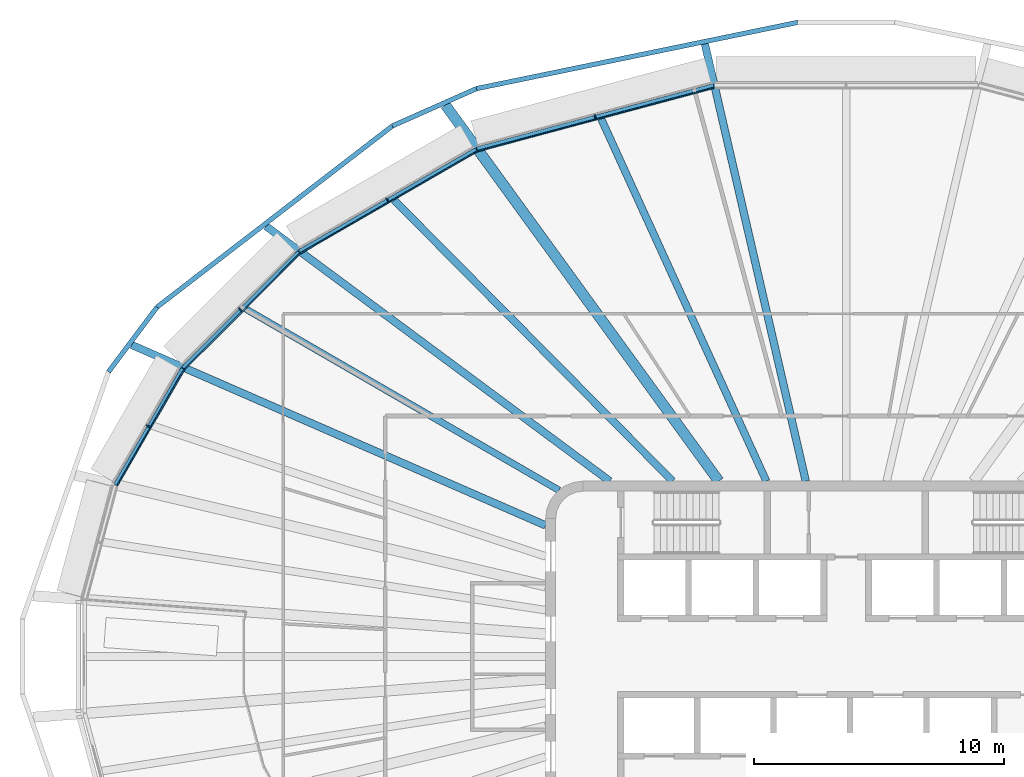
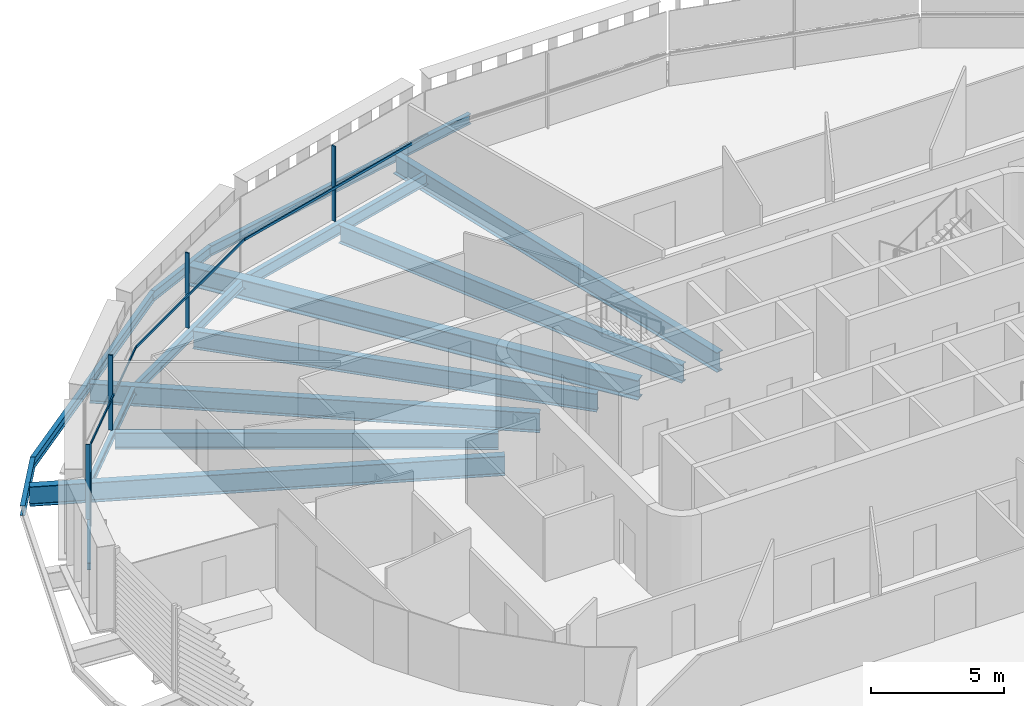
# One storey, part 5 of 20: 15 beams, 8 members, 4 elements without a shape of their own.
"""IFC4 building model written with IfcOpenShell, lengths in metres."""

from ifc_helpers import new_model, si_unit, direction, frame, origin, origin_2d, place, context, subcontext, project, spatial, rectangle, i_section, extrude, material, layer, layer_set, material_profile, profile_set, type_object, element, aggregate, save


model = new_model("IFC4")

# Units and contexts
model_context = context("Model", 3, precision=1e-05, world=origin(), true_north=direction((0.0, 1.0)))
body_context = subcontext(model_context, "Body", "Model", "MODEL_VIEW")
ifc_project = project(units=[si_unit("LENGTHUNIT", "METRE"), si_unit("AREAUNIT", "SQUARE_METRE"), si_unit("VOLUMEUNIT", "CUBIC_METRE"), si_unit("PLANEANGLEUNIT", "RADIAN"), si_unit("MASSUNIT", "GRAM", prefix="KILO")], contexts=[model_context])

# Site, building, storey
site_placement = place(None, origin())
site = spatial("IfcSite", under=ifc_project, at=site_placement, CompositionType="ELEMENT")
building_placement = place(site_placement, origin())
building = spatial("IfcBuilding", under=site, at=building_placement, Name="Sahrelin Media Tower", CompositionType="ELEMENT")
storey_placement = place(building_placement, frame((0.0, 0.0, 221.60009765625)))
storey = spatial("IfcBuildingStorey", under=building, at=storey_placement, Name="L47", CompositionType="ELEMENT", Elevation=221.60009765625)

# Beams
ifc_material_1 = material(Name="Steel S355", Category="steel")
ifc_material_profile_1 = material_profile(ifc_material_1, i_section(OverallWidth=0.1650390625, OverallDepth=0.303466796875, WebThickness=0.006103515625, FlangeThickness=0.01025390625, FilletRadius=0.0087890625, at=origin_2d()), Name="UB 305x165x40")
ifc_profile_set_1 = profile_set([ifc_material_profile_1], Name="Steel S355")
beam_type_1 = type_object("IfcBeamType", Name="Edge beam EB2", PredefinedType="BEAM", material=ifc_profile_set_1)
beam_1_placement = place(storey_placement, frame((-29.165771484375, 6.847900390625, -0.3017578125), z_axis=(0.500036390221, 0.866004392861, 0.0), x_axis=(-0.866004392861, 0.500036390221, 0.0)))
element("IfcBeam", 1, at=beam_1_placement, inside=storey, type_object=beam_type_1, Name="Edge beam L47-15", PredefinedType="BEAM", context=body_context, shape_type="SweptSolid", body=[
    extrude(i_section(OverallWidth=0.1650390625, OverallDepth=0.303466796875, WebThickness=0.006103515625, FlangeThickness=0.01025390625, FilletRadius=0.0087890625, at=origin_2d()), origin(), (0.0, 0.0, 1.0), 5.36279296875),
])
ifc_material_profile_2 = material_profile(ifc_material_1, i_section(OverallWidth=0.17138671875, OverallDepth=0.35498046875, WebThickness=0.00732421875, FlangeThickness=0.011474609375, FilletRadius=0.01025390625, at=origin_2d()), Name="UB 356x171x51")
ifc_profile_set_2 = profile_set([ifc_material_profile_2], Name="Steel S355")
beam_type_2 = type_object("IfcBeamType", Name="Edge beam EB3", PredefinedType="BEAM", material=ifc_profile_set_2)
beam_2_placement = place(storey_placement, frame((-26.466552734375, 11.51513671875, -0.32763671875), z_axis=(0.707088087763, 0.707125474116, 0.0), x_axis=(-0.707125474116, 0.707088087763, 0.0)))
element("IfcBeam", 2, at=beam_2_placement, inside=storey, type_object=beam_type_2, Name="Edge beam L47-16", PredefinedType="BEAM", context=body_context, shape_type="SweptSolid", body=[
    extrude(i_section(OverallWidth=0.17138671875, OverallDepth=0.35498046875, WebThickness=0.00732421875, FlangeThickness=0.011474609375, FilletRadius=0.01025390625, at=origin_2d()), origin(), (0.0, 0.0, 1.0), 6.5302734375),
])
ifc_material_profile_3 = material_profile(ifc_material_1, i_section(OverallWidth=0.1904296875, OverallDepth=0.45703125, WebThickness=0.009033203125, FlangeThickness=0.014404296875, FilletRadius=0.01025390625, at=origin_2d()), Name="UB 457x191x74")
ifc_profile_set_3 = profile_set([ifc_material_profile_3], Name="Steel S355")
beam_type_3 = type_object("IfcBeamType", Name="Edge beam EB5", PredefinedType="BEAM", material=ifc_profile_set_3)
beam_3_placement = place(storey_placement, frame((-21.826171875, 16.150146484375, -0.378662109375), z_axis=(0.866014591954, 0.500018726171, 0.0), x_axis=(-0.500018726171, 0.866014591954, 0.0)))
element("IfcBeam", 3, at=beam_3_placement, inside=storey, type_object=beam_type_3, Name="Edge beam L47-17", PredefinedType="BEAM", context=body_context, shape_type="SweptSolid", body=[
    extrude(i_section(OverallWidth=0.1904296875, OverallDepth=0.45703125, WebThickness=0.009033203125, FlangeThickness=0.014404296875, FilletRadius=0.01025390625, at=origin_2d()), origin(), (0.0, 0.0, 1.0), 8.155517578125),
])
ifc_material_profile_4 = material_profile(ifc_material_1, i_section(OverallWidth=0.208740234375, OverallDepth=0.5283203125, WebThickness=0.009521484375, FlangeThickness=0.01318359375, FilletRadius=0.0126953125, at=origin_2d()), Name="UB 533x210x82")
ifc_profile_set_4 = profile_set([ifc_material_profile_4], Name="Steel S355")
beam_type_4 = type_object("IfcBeamType", Name="Edge beam EB6", PredefinedType="BEAM", material=ifc_profile_set_4)
beam_4_placement = place(storey_placement, frame((-14.73681640625, 20.239013671875, -0.414306640625), z_axis=(0.965928675472, 0.258808411575, 0.0), x_axis=(-0.258808411575, 0.965928675472, 0.0)))
element("IfcBeam", 4, at=beam_4_placement, inside=storey, type_object=beam_type_4, Name="Edge beam L47-18", PredefinedType="BEAM", context=body_context, shape_type="SweptSolid", body=[
    extrude(i_section(OverallWidth=0.208740234375, OverallDepth=0.5283203125, WebThickness=0.009521484375, FlangeThickness=0.01318359375, FilletRadius=0.0126953125, at=origin_2d()), origin(), (0.0, 0.0, 1.0), 9.7861328125),
])

# Curtain wall, member
ifc_material_2 = material(Name="Champagne anodised aluminium 6063-T6", Category="aluminium")
ifc_layer = layer(ifc_material_2, 0.14990234375)
ifc_layer_set = layer_set([ifc_layer], Name="Tower ribbon curtain wall")
curtain_wall_type = type_object("IfcCurtainWallType", Name="Tower ribbon curtain wall", PredefinedType="NOTDEFINED", material=ifc_layer_set)
curtain_wall_1_placement = place(storey_placement, frame((-10.04931640625, 21.650390625, 0.0), z_axis=(0.0, 0.0, 1.0), x_axis=(1.0, 0.0, 0.0)))
curtain_wall_1 = element("IfcCurtainWall", 5, at=curtain_wall_1_placement, inside=storey, type_object=curtain_wall_type, Name="L47:CW:L47-07", PredefinedType="NOTDEFINED")
ifc_material_profile_5 = material_profile(ifc_material_2, rectangle(XDim=0.06005859375, YDim=0.175048828125, at=origin_2d()), Name="Mullion 60x175")
ifc_profile_set_5 = profile_set([ifc_material_profile_5], Name="Champagne anodised aluminium 6063-T6")
member_type_1 = type_object("IfcMemberType", Name="Mullion 60x175 CW1B", PredefinedType="MULLION", material=ifc_profile_set_5)
member_1_placement = place(storey_placement, frame((-10.021484375, 21.54638671875, 0.0), z_axis=(0.0, 0.0, 1.0), x_axis=(-0.965924471102, -0.258824102675, 0.0)))
member_1 = element("IfcMember", 6, at=member_1_placement, type_object=member_type_1, Name="L47:CWM:L47-07", PredefinedType="MULLION", context=body_context, shape_type="SweptSolid", body=[
    extrude(rectangle(XDim=0.06005859375, YDim=0.175048828125, at=origin_2d()), origin(), (0.0, 0.0, 1.0), 3.448486328125),
])

curtain_wall_2_placement = place(storey_placement, frame((-18.369873046875, 18.319091796875, 0.0), z_axis=(0.0, 0.0, 1.0), x_axis=(1.0, 0.0, 0.0)))
curtain_wall_2 = element("IfcCurtainWall", 7, at=curtain_wall_2_placement, inside=storey, type_object=curtain_wall_type, Name="L47:CW:L47-08", PredefinedType="NOTDEFINED")
member_2_placement = place(storey_placement, frame((-18.31591796875, 18.225830078125, 0.0), z_axis=(0.0, 0.0, 1.0), x_axis=(-0.866022785779, -0.500004534492, 0.0)))
member_2 = element("IfcMember", 8, at=member_2_placement, type_object=member_type_1, Name="L47:CWM:L47-08", PredefinedType="MULLION", context=body_context, shape_type="SweptSolid", body=[
    extrude(rectangle(XDim=0.06005859375, YDim=0.175048828125, at=origin_2d()), origin(), (0.0, 0.0, 1.0), 3.448486328125),
])

curtain_wall_3_placement = place(storey_placement, frame((-24.263916015625, 13.929931640625, 0.0), z_axis=(0.0, 0.0, 1.0), x_axis=(1.0, 0.0, 0.0)))
curtain_wall_3 = element("IfcCurtainWall", 9, at=curtain_wall_3_placement, inside=storey, type_object=curtain_wall_type, Name="L47:CW:L47-09", PredefinedType="NOTDEFINED")
member_3_placement = place(storey_placement, frame((-24.187744140625, 13.85400390625, 0.0), z_axis=(0.0, 0.0, 1.0), x_axis=(-0.707114185953, -0.707099376343, 0.0)))
member_3 = element("IfcMember", 10, at=member_3_placement, type_object=member_type_1, Name="L47:CWM:L47-09", PredefinedType="MULLION", context=body_context, shape_type="SweptSolid", body=[
    extrude(rectangle(XDim=0.06005859375, YDim=0.175048828125, at=origin_2d()), origin(), (0.0, 0.0, 1.0), 3.448486328125),
])

curtain_wall_4_placement = place(storey_placement, frame((-27.954833984375, 9.2451171875, 0.0), z_axis=(0.0, 0.0, 1.0), x_axis=(1.0, 0.0, 0.0)))
curtain_wall_4 = element("IfcCurtainWall", 11, at=curtain_wall_4_placement, inside=storey, type_object=curtain_wall_type, Name="L47:CW:L47-10", PredefinedType="NOTDEFINED")
member_4_placement = place(storey_placement, frame((-27.86181640625, 9.19140625, 0.0), z_axis=(0.0, 0.0, 1.0), x_axis=(-0.5, -0.866025403784, 0.0)))
member_4 = element("IfcMember", 12, at=member_4_placement, type_object=member_type_1, Name="L47:CWM:L47-10", PredefinedType="MULLION", context=body_context, shape_type="SweptSolid", body=[
    extrude(rectangle(XDim=0.06005859375, YDim=0.175048828125, at=origin_2d()), origin(), (0.0, 0.0, 1.0), 3.448486328125),
])

# Beams
ifc_material_profile_6 = material_profile(ifc_material_1, i_section(OverallWidth=0.30322265625, OverallDepth=0.903076171875, WebThickness=0.01513671875, FlangeThickness=0.020263671875, FilletRadius=0.01904296875, at=origin_2d()), Name="UB 914x305x201")
ifc_profile_set_6 = profile_set([ifc_material_profile_6], Name="Steel S355")
beam_type_5 = type_object("IfcBeamType", Name="Radial primary beam PB11", PredefinedType="BEAM", material=ifc_profile_set_6)
beam_5_placement = place(storey_placement, frame((-1.615234375, 7.0, -0.6015625), z_axis=(-0.224829640929, 0.974398087313, 0.0), x_axis=(-0.974398087313, -0.224829640929, 0.0)))
element("IfcBeam", 13, at=beam_5_placement, inside=storey, type_object=beam_type_5, Name="Radial beam L47-07", PredefinedType="BEAM", context=body_context, shape_type="SweptSolid", body=[
    extrude(i_section(OverallWidth=0.30322265625, OverallDepth=0.903076171875, WebThickness=0.01513671875, FlangeThickness=0.020263671875, FilletRadius=0.01904296875, at=origin_2d()), origin(), (0.0, 0.0, 1.0), 17.91064453125),
])
beam_6_placement = place(storey_placement, frame((-9.439697265625, 7.0, -0.6015625), z_axis=(-0.803237858259, 0.59565841139, 0.0), x_axis=(-0.59565841139, -0.803237858259, 0.0)))
element("IfcBeam", 14, at=beam_6_placement, inside=storey, type_object=beam_type_5, Name="Radial beam L47-09", PredefinedType="BEAM", context=body_context, shape_type="SweptSolid", body=[
    extrude(i_section(OverallWidth=0.30322265625, OverallDepth=0.903076171875, WebThickness=0.01513671875, FlangeThickness=0.020263671875, FilletRadius=0.01904296875, at=origin_2d()), origin(), (0.0, 0.0, 1.0), 17.08447265625),
])
beam_7_placement = place(storey_placement, frame((-12.0, 5.232421875, -0.6015625), z_axis=(-0.916652335259, 0.399685496691, 0.0), x_axis=(-0.399685496691, -0.916652335259, 0.0)))
element("IfcBeam", 15, at=beam_7_placement, inside=storey, type_object=beam_type_5, Name="Radial beam L47-10", PredefinedType="BEAM", context=body_context, shape_type="SweptSolid", body=[
    extrude(i_section(OverallWidth=0.30322265625, OverallDepth=0.903076171875, WebThickness=0.01513671875, FlangeThickness=0.020263671875, FilletRadius=0.01904296875, at=origin_2d()), origin(), (0.0, 0.0, 1.0), 18.029296875),
])
ifc_material_profile_7 = material_profile(ifc_material_1, i_section(OverallWidth=0.41845703125, OverallDepth=0.911865234375, WebThickness=0.019287109375, FlangeThickness=0.031982421875, FilletRadius=0.024169921875, at=origin_2d()), Name="UB 914x419x343")
ifc_profile_set_7 = profile_set([ifc_material_profile_7], Name="Steel S355")
beam_type_6 = type_object("IfcBeamType", Name="Radial primary beam PB12", PredefinedType="BEAM", material=ifc_profile_set_7)
beam_8_placement = place(storey_placement, frame((-5.087646484375, 7.0, -0.60595703125), z_axis=(-0.587924542129, 0.808915776063, 0.0), x_axis=(-0.808915776063, -0.587924542129, 0.0)))
element("IfcBeam", 16, at=beam_8_placement, inside=storey, type_object=beam_type_6, Name="Radial beam L47-08", PredefinedType="BEAM", context=body_context, shape_type="SweptSolid", body=[
    extrude(i_section(OverallWidth=0.41845703125, OverallDepth=0.911865234375, WebThickness=0.019287109375, FlangeThickness=0.031982421875, FilletRadius=0.024169921875, at=origin_2d()), origin(), (0.0, 0.0, 1.0), 18.56201171875),
])
ifc_material_profile_8 = material_profile(ifc_material_1, i_section(OverallWidth=0.291748046875, OverallDepth=0.8349609375, WebThickness=0.013916015625, FlangeThickness=0.018798828125, FilletRadius=0.017822265625, at=origin_2d()), Name="UB 838x292x176")
ifc_profile_set_8 = profile_set([ifc_material_profile_8], Name="Steel S355")
beam_type_7 = type_object("IfcBeamType", Name="Radial secondary beam SB10", PredefinedType="BEAM", material=ifc_profile_set_8)
beam_9_placement = place(storey_placement, frame((-3.190185546875, 7.0, -0.567626953125), z_axis=(-0.41471955526, 0.909949279073, 0.0), x_axis=(-0.909949279073, -0.41471955526, 0.0)))
element("IfcBeam", 17, at=beam_9_placement, inside=storey, type_object=beam_type_7, Name="Secondary beam L47-07", PredefinedType="BEAM", context=body_context, shape_type="SweptSolid", body=[
    extrude(i_section(OverallWidth=0.291748046875, OverallDepth=0.8349609375, WebThickness=0.013916015625, FlangeThickness=0.018798828125, FilletRadius=0.017822265625, at=origin_2d()), origin(), (0.0, 0.0, 1.0), 15.889892578125),
])
beam_10_placement = place(storey_placement, frame((-6.93310546875, 7.0, -0.567626953125), z_axis=(-0.703713507943, 0.71048384833, 0.0), x_axis=(-0.71048384833, -0.703713507943, 0.0)))
element("IfcBeam", 18, at=beam_10_placement, inside=storey, type_object=beam_type_7, Name="Secondary beam L47-08", PredefinedType="BEAM", context=body_context, shape_type="SweptSolid", body=[
    extrude(i_section(OverallWidth=0.291748046875, OverallDepth=0.8349609375, WebThickness=0.013916015625, FlangeThickness=0.018798828125, FilletRadius=0.017822265625, at=origin_2d()), origin(), (0.0, 0.0, 1.0), 15.79443359375),
])
ifc_material_profile_9 = material_profile(ifc_material_1, i_section(OverallWidth=0.26513671875, OverallDepth=0.75390625, WebThickness=0.0126953125, FlangeThickness=0.017578125, FilletRadius=0.0166015625, at=origin_2d()), Name="UB 762x267x147")
ifc_profile_set_9 = profile_set([ifc_material_profile_9], Name="Steel S355")
beam_type_8 = type_object("IfcBeamType", Name="Radial secondary beam SB9", PredefinedType="BEAM", material=ifc_profile_set_9)
beam_11_placement = place(storey_placement, frame((-11.46435546875, 6.634521484375, -0.527099609375), z_axis=(-0.86550833259, 0.50089452604, 0.0), x_axis=(-0.50089452604, -0.86550833259, 0.0)))
element("IfcBeam", 19, at=beam_11_placement, inside=storey, type_object=beam_type_8, Name="Secondary beam L47-09", PredefinedType="BEAM", context=body_context, shape_type="SweptSolid", body=[
    extrude(i_section(OverallWidth=0.26513671875, OverallDepth=0.75390625, WebThickness=0.0126953125, FlangeThickness=0.017578125, FilletRadius=0.0166015625, at=origin_2d()), origin(), (0.0, 0.0, 1.0), 14.46240234375),
])
ifc_material_profile_10 = material_profile(ifc_material_1, i_section(OverallWidth=0.1904296875, OverallDepth=0.45703125, WebThickness=0.009033203125, FlangeThickness=0.014404296875, FilletRadius=0.01025390625, at=origin_2d()), Name="UB 457x191x74")
ifc_profile_set_10 = profile_set([ifc_material_profile_10], Name="Steel S355")
beam_type_9 = type_object("IfcBeamType", Name="Tie chord TC5", PredefinedType="BEAM", material=ifc_profile_set_10)
beam_12_placement = place(storey_placement, frame((-1.935791015625, 25.313720703125, -0.378662109375), z_axis=(-0.97939063421, -0.201975210415, 0.0), x_axis=(0.201975210415, -0.97939063421, 0.0)))
element("IfcBeam", 20, at=beam_12_placement, inside=storey, type_object=beam_type_9, Name="Tie chord L47-07", PredefinedType="BEAM", context=body_context, shape_type="SweptSolid", body=[
    extrude(i_section(OverallWidth=0.1904296875, OverallDepth=0.45703125, WebThickness=0.009033203125, FlangeThickness=0.014404296875, FilletRadius=0.01025390625, at=origin_2d()), origin(), (0.0, 0.0, 1.0), 13.101806640625),
])
beam_13_placement = place(storey_placement, frame((-14.767578125, 22.66748046875, -0.378662109375), z_axis=(-0.913836241537, -0.406082902439, 0.0), x_axis=(0.406082902439, -0.913836241537, 0.0)))
element("IfcBeam", 21, at=beam_13_placement, inside=storey, type_object=beam_type_9, Name="Tie chord L47-08", PredefinedType="BEAM", context=body_context, shape_type="SweptSolid", body=[
    extrude(i_section(OverallWidth=0.1904296875, OverallDepth=0.45703125, WebThickness=0.009033203125, FlangeThickness=0.014404296875, FilletRadius=0.01025390625, at=origin_2d()), origin(), (0.0, 0.0, 1.0), 3.669189453125),
])
beam_14_placement = place(storey_placement, frame((-18.12060546875, 21.177490234375, -0.378662109375), z_axis=(-0.792436365958, -0.609954593316, 0.0), x_axis=(0.609954593316, -0.792436365958, 0.0)))
element("IfcBeam", 22, at=beam_14_placement, inside=storey, type_object=beam_type_9, Name="Tie chord L47-09", PredefinedType="BEAM", context=body_context, shape_type="SweptSolid", body=[
    extrude(i_section(OverallWidth=0.1904296875, OverallDepth=0.45703125, WebThickness=0.009033203125, FlangeThickness=0.014404296875, FilletRadius=0.01025390625, at=origin_2d()), origin(), (0.0, 0.0, 1.0), 11.853759765625),
])
beam_15_placement = place(storey_placement, frame((-27.513916015625, 13.947265625, -0.378662109375), z_axis=(-0.600036323941, -0.799972755755, 0.0), x_axis=(0.799972755755, -0.600036323941, 0.0)))
element("IfcBeam", 23, at=beam_15_placement, inside=storey, type_object=beam_type_9, Name="Tie chord L47-10", PredefinedType="BEAM", context=body_context, shape_type="SweptSolid", body=[
    extrude(i_section(OverallWidth=0.1904296875, OverallDepth=0.45703125, WebThickness=0.009033203125, FlangeThickness=0.014404296875, FilletRadius=0.01025390625, at=origin_2d()), origin(), (0.0, 0.0, 1.0), 3.22607421875),
])

# Member
ifc_material_profile_11 = material_profile(ifc_material_2, rectangle(XDim=0.050048828125, YDim=0.110107421875, at=origin_2d()), Name="Transom 50x110")
ifc_profile_set_11 = profile_set([ifc_material_profile_11], Name="Champagne anodised aluminium 6063-T6")
member_type_2 = type_object("IfcMemberType", Name="Transom 50x110 CW1B", PredefinedType="USERDEFINED", material=ifc_profile_set_11)
member_5_placement = place(storey_placement, frame((-5.28125, 22.7001953125, 1.599853515625), z_axis=(-0.965921015367, -0.258836999039, 0.0), x_axis=(0.258836999039, -0.965921015367, 0.0)))
member_5 = element("IfcMember", 24, at=member_5_placement, type_object=member_type_2, Name="L47:CWT:L47-07", ObjectType="TRANSOM", PredefinedType="USERDEFINED", context=body_context, shape_type="SweptSolid", body=[
    extrude(rectangle(XDim=0.050048828125, YDim=0.110107421875, at=origin_2d()), origin(), (0.0, 0.0, 1.0), 9.7548828125),
])

aggregate(curtain_wall_1, [member_1, member_5])

member_6_placement = place(storey_placement, frame((-14.741943359375, 20.159423828125, 1.599853515625), z_axis=(-0.866026445548, -0.499998195608, 0.0), x_axis=(0.499998195608, -0.866026445548, 0.0)))
member_6 = element("IfcMember", 25, at=member_6_placement, type_object=member_type_2, Name="L47:CWT:L47-08", ObjectType="TRANSOM", PredefinedType="USERDEFINED", context=body_context, shape_type="SweptSolid", body=[
    extrude(rectangle(XDim=0.050048828125, YDim=0.110107421875, at=origin_2d()), origin(), (0.0, 0.0, 1.0), 8.1240234375),
])

aggregate(curtain_wall_2, [member_2, member_6])

member_7_placement = place(storey_placement, frame((-21.810546875, 16.072021484375, 1.599853515625), z_axis=(-0.707125564488, -0.707087997386, 0.0), x_axis=(0.707087997386, -0.707125564488, 0.0)))
member_7 = element("IfcMember", 26, at=member_7_placement, type_object=member_type_2, Name="L47:CWT:L47-09", ObjectType="TRANSOM", PredefinedType="USERDEFINED", context=body_context, shape_type="SweptSolid", body=[
    extrude(rectangle(XDim=0.050048828125, YDim=0.110107421875, at=origin_2d()), origin(), (0.0, 0.0, 1.0), 6.498779296875),
])

aggregate(curtain_wall_3, [member_3, member_7])

member_8_placement = place(storey_placement, frame((-26.431396484375, 11.443603515625, 1.599853515625), z_axis=(-0.500005210312, -0.866022395588, 0.0), x_axis=(0.866022395588, -0.500005210312, 0.0)))
member_8 = element("IfcMember", 27, at=member_8_placement, type_object=member_type_2, Name="L47:CWT:L47-10", ObjectType="TRANSOM", PredefinedType="USERDEFINED", context=body_context, shape_type="SweptSolid", body=[
    extrude(rectangle(XDim=0.050048828125, YDim=0.110107421875, at=origin_2d()), origin(), (0.0, 0.0, 1.0), 5.33154296875),
])

aggregate(curtain_wall_4, [member_4, member_8])

save(model, "model.ifc")
